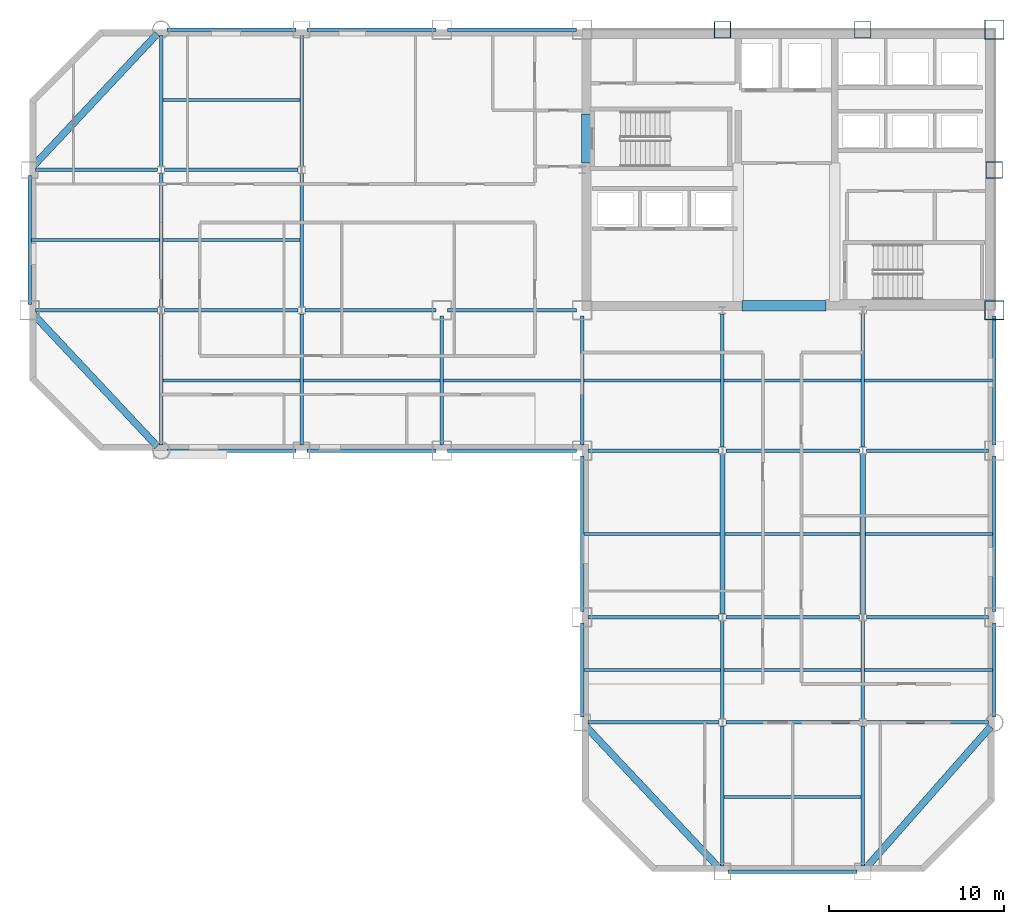
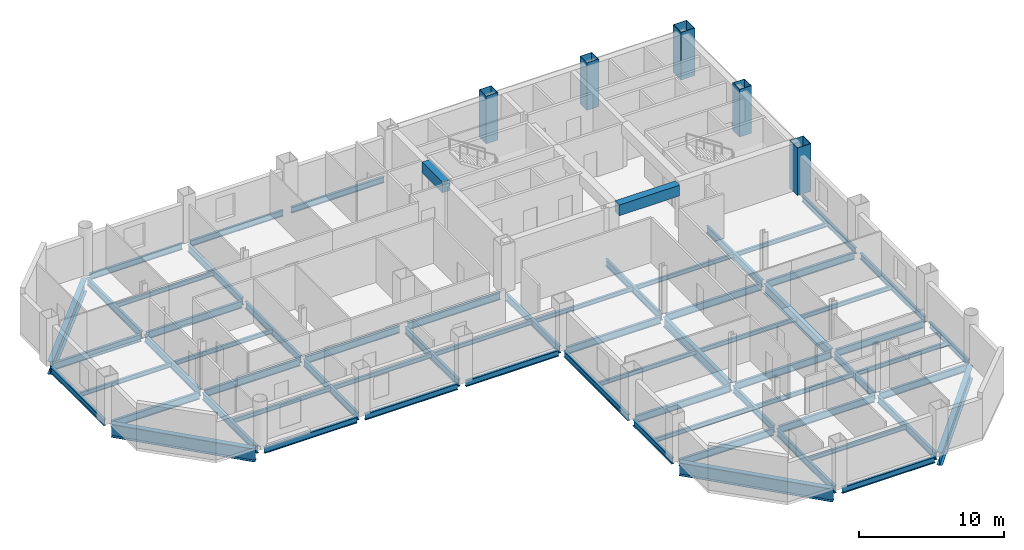
# One storey, part 4 of 10: 66 beams, 5 columns.
"""IFC4 building model written with IfcOpenShell, lengths in metres."""

from ifc_helpers import new_model, si_unit, direction, frame, origin, origin_2d, place, context, subcontext, project, spatial, rectangle, hollow_rectangle, i_section, extrude, material, material_profile, profile_set, type_object, element, save


model = new_model("IFC4")

# Units and contexts
model_context = context("Model", 3, precision=1e-05, world=origin(), true_north=direction((0.0, 1.0)))
body_context = subcontext(model_context, "Body", "Model", "MODEL_VIEW")
ifc_project = project(units=[si_unit("LENGTHUNIT", "METRE"), si_unit("AREAUNIT", "SQUARE_METRE"), si_unit("VOLUMEUNIT", "CUBIC_METRE"), si_unit("PLANEANGLEUNIT", "RADIAN"), si_unit("MASSUNIT", "GRAM", prefix="KILO")], contexts=[model_context])

# Site, building, storey
site_placement = place(None, origin())
site = spatial("IfcSite", under=ifc_project, at=site_placement, CompositionType="ELEMENT")
building_placement = place(site_placement, origin())
building = spatial("IfcBuilding", under=site, at=building_placement, Name="Qianrong Seaharbour Tower", CompositionType="ELEMENT")
storey_placement = place(building_placement, frame((0.0, 0.0, 179.0)))
storey = spatial("IfcBuildingStorey", under=building, at=storey_placement, Name="L43", CompositionType="ELEMENT", Elevation=179.0)

# Columns
ifc_material_1 = material(Name="Structural steel SN490B", Category="steel")
ifc_material_profile_1 = material_profile(ifc_material_1, hollow_rectangle(XDim=1.10009765625, YDim=1.10009765625, WallThickness=0.0400390625, at=origin_2d()), Name="BOX1100x1100x40")
ifc_profile_set_1 = profile_set([ifc_material_profile_1], Name="Structural steel SN490B")
column_type_1 = type_object("IfcColumnType", Name="COL-CFT-1100", PredefinedType="COLUMN", material=ifc_profile_set_1)
for number, where, z_axis, x_axis, name in (
    (1, (64.0, 36.0, 0.0), (0.0, 0.0, 1.0), (1.0, 0.0, 0.0), "L43 Column MC-3 at G9/GF"),
    (2, (64.0, 52.0, 0.0), (0.0, 0.0, 1.0), (1.0, 0.0, 0.0), "L43 Column MC-3 at G9/GH"),
):
    element("IfcColumn", number, at=place(storey_placement, frame(where, z_axis=z_axis, x_axis=x_axis)), inside=storey, type_object=column_type_1, Name=name, PredefinedType="COLUMN", context=body_context, shape_type="SweptSolid", body=[
        extrude(hollow_rectangle(XDim=1.10009765625, YDim=1.10009765625, WallThickness=0.0400390625, at=origin_2d()), origin(), (0.0, 0.0, 1.0), 4.0),
    ])
ifc_material_profile_2 = material_profile(ifc_material_1, hollow_rectangle(XDim=0.949951171875, YDim=0.949951171875, WallThickness=0.035888671875, at=origin_2d()), Name="BOX950x950x36")
ifc_profile_set_2 = profile_set([ifc_material_profile_2], Name="Structural steel SN490B")
column_type_2 = type_object("IfcColumnType", Name="COL-PER-950", PredefinedType="COLUMN", material=ifc_profile_set_2)
for number, where, z_axis, x_axis, name in (
    (3, (48.5, 52.0, 0.0), (0.0, 0.0, 1.0), (1.0, 0.0, 0.0), "L43 Column PC-2 at G7/GH"),
    (4, (56.5, 52.0, 0.0), (0.0, 0.0, 1.0), (1.0, 0.0, 0.0), "L43 Column PC-2 at G8/GH"),
    (5, (64.0, 44.0, 0.0), (0.0, 0.0, 1.0), (1.0, 0.0, 0.0), "L43 Column PC-2 at G9/GG"),
):
    element("IfcColumn", number, at=place(storey_placement, frame(where, z_axis=z_axis, x_axis=x_axis)), inside=storey, type_object=column_type_2, Name=name, PredefinedType="COLUMN", context=body_context, shape_type="SweptSolid", body=[
        extrude(hollow_rectangle(XDim=0.949951171875, YDim=0.949951171875, WallThickness=0.035888671875, at=origin_2d()), origin(), (0.0, 0.0, 1.0), 4.0),
    ])

# Beams
ifc_material_profile_3 = material_profile(ifc_material_1, i_section(OverallWidth=0.199951171875, OverallDepth=0.60009765625, WebThickness=0.010986328125, FlangeThickness=0.01708984375, FilletRadius=0.02197265625, at=origin_2d()), Name="H600x200x11x17")
ifc_profile_set_3 = profile_set([ifc_material_profile_3], Name="Structural steel SN490B")
beam_type_1 = type_object("IfcBeamType", Name="BM-G-600", PredefinedType="BEAM", material=ifc_profile_set_3)
beam_1_placement = place(storey_placement, frame((40.820068359375, 12.5, -0.534912109375), z_axis=(1.0, 0.0, 0.0), x_axis=(0.0, 1.0, 0.0)))
element("IfcBeam", 6, at=beam_1_placement, inside=storey, type_object=beam_type_1, Name="L43 Primary Girder GC G6-G7", PredefinedType="BEAM", context=body_context, shape_type="SweptSolid", body=[
    extrude(i_section(OverallWidth=0.199951171875, OverallDepth=0.60009765625, WebThickness=0.010986328125, FlangeThickness=0.01708984375, FilletRadius=0.02197265625, at=origin_2d()), origin(), (0.0, 0.0, 1.0), 7.47998046875),
])
beam_2_placement = place(storey_placement, frame((48.699951171875, 12.5, -0.534912109375), z_axis=(1.0, 0.0, 0.0), x_axis=(0.0, 1.0, 0.0)))
element("IfcBeam", 7, at=beam_2_placement, inside=storey, type_object=beam_type_1, Name="L43 Primary Girder GC G7-G8", PredefinedType="BEAM", context=body_context, shape_type="SweptSolid", body=[
    extrude(i_section(OverallWidth=0.199951171875, OverallDepth=0.60009765625, WebThickness=0.010986328125, FlangeThickness=0.01708984375, FilletRadius=0.02197265625, at=origin_2d()), origin(), (0.0, 0.0, 1.0), 7.60009765625),
])
beam_3_placement = place(storey_placement, frame((56.699951171875, 12.5, -0.534912109375), z_axis=(1.0, 0.0, 0.0), x_axis=(0.0, 1.0, 0.0)))
element("IfcBeam", 8, at=beam_3_placement, inside=storey, type_object=beam_type_1, Name="L43 Primary Girder GC G8-G9", PredefinedType="BEAM", context=body_context, shape_type="SweptSolid", body=[
    extrude(i_section(OverallWidth=0.199951171875, OverallDepth=0.60009765625, WebThickness=0.010986328125, FlangeThickness=0.01708984375, FilletRadius=0.02197265625, at=origin_2d()), origin(), (0.0, 0.0, 1.0), 6.97998046875),
])
beam_4_placement = place(storey_placement, frame((40.820068359375, 18.5, -0.534912109375), z_axis=(1.0, 0.0, 0.0), x_axis=(0.0, 1.0, 0.0)))
element("IfcBeam", 9, at=beam_4_placement, inside=storey, type_object=beam_type_1, Name="L43 Primary Girder GD G6-G7", PredefinedType="BEAM", context=body_context, shape_type="SweptSolid", body=[
    extrude(i_section(OverallWidth=0.199951171875, OverallDepth=0.60009765625, WebThickness=0.010986328125, FlangeThickness=0.01708984375, FilletRadius=0.02197265625, at=origin_2d()), origin(), (0.0, 0.0, 1.0), 7.47998046875),
])
beam_5_placement = place(storey_placement, frame((48.699951171875, 18.5, -0.534912109375), z_axis=(1.0, 0.0, 0.0), x_axis=(0.0, 1.0, 0.0)))
element("IfcBeam", 10, at=beam_5_placement, inside=storey, type_object=beam_type_1, Name="L43 Primary Girder GD G7-G8", PredefinedType="BEAM", context=body_context, shape_type="SweptSolid", body=[
    extrude(i_section(OverallWidth=0.199951171875, OverallDepth=0.60009765625, WebThickness=0.010986328125, FlangeThickness=0.01708984375, FilletRadius=0.02197265625, at=origin_2d()), origin(), (0.0, 0.0, 1.0), 7.60009765625),
])
beam_6_placement = place(storey_placement, frame((56.699951171875, 18.5, -0.534912109375), z_axis=(1.0, 0.0, 0.0), x_axis=(0.0, 1.0, 0.0)))
element("IfcBeam", 11, at=beam_6_placement, inside=storey, type_object=beam_type_1, Name="L43 Primary Girder GD G8-G9", PredefinedType="BEAM", context=body_context, shape_type="SweptSolid", body=[
    extrude(i_section(OverallWidth=0.199951171875, OverallDepth=0.60009765625, WebThickness=0.010986328125, FlangeThickness=0.01708984375, FilletRadius=0.02197265625, at=origin_2d()), origin(), (0.0, 0.0, 1.0), 6.97998046875),
])
beam_7_placement = place(storey_placement, frame((40.820068359375, 28.0, -0.534912109375), z_axis=(1.0, 0.0, 0.0), x_axis=(0.0, 1.0, 0.0)))
element("IfcBeam", 12, at=beam_7_placement, inside=storey, type_object=beam_type_1, Name="L43 Primary Girder GE G6-G7", PredefinedType="BEAM", context=body_context, shape_type="SweptSolid", body=[
    extrude(i_section(OverallWidth=0.199951171875, OverallDepth=0.60009765625, WebThickness=0.010986328125, FlangeThickness=0.01708984375, FilletRadius=0.02197265625, at=origin_2d()), origin(), (0.0, 0.0, 1.0), 7.47998046875),
])
beam_8_placement = place(storey_placement, frame((48.699951171875, 28.0, -0.534912109375), z_axis=(1.0, 0.0, 0.0), x_axis=(0.0, 1.0, 0.0)))
element("IfcBeam", 13, at=beam_8_placement, inside=storey, type_object=beam_type_1, Name="L43 Primary Girder GE G7-G8", PredefinedType="BEAM", context=body_context, shape_type="SweptSolid", body=[
    extrude(i_section(OverallWidth=0.199951171875, OverallDepth=0.60009765625, WebThickness=0.010986328125, FlangeThickness=0.01708984375, FilletRadius=0.02197265625, at=origin_2d()), origin(), (0.0, 0.0, 1.0), 7.60009765625),
])
for number, where, z_axis, x_axis, name in (
    (14, (56.699951171875, 28.0, -0.534912109375), (1.0, 0.0, 0.0), (0.0, 1.0, 0.0), "L43 Primary Girder GE G8-G9"),
    (15, (9.320068359375, 36.0, -0.534912109375), (1.0, 0.0, 0.0), (0.0, 1.0, 0.0), "L43 Primary Girder GF G2-G3"),
):
    element("IfcBeam", number, at=place(storey_placement, frame(where, z_axis=z_axis, x_axis=x_axis)), inside=storey, type_object=beam_type_1, Name=name, PredefinedType="BEAM", context=body_context, shape_type="SweptSolid", body=[
        extrude(i_section(OverallWidth=0.199951171875, OverallDepth=0.60009765625, WebThickness=0.010986328125, FlangeThickness=0.01708984375, FilletRadius=0.02197265625, at=origin_2d()), origin(), (0.0, 0.0, 1.0), 6.97998046875),
    ])
beam_9_placement = place(storey_placement, frame((16.699951171875, 36.0, -0.534912109375), z_axis=(1.0, 0.0, 0.0), x_axis=(0.0, 1.0, 0.0)))
element("IfcBeam", 16, at=beam_9_placement, inside=storey, type_object=beam_type_1, Name="L43 Primary Girder GF G3-G4", PredefinedType="BEAM", context=body_context, shape_type="SweptSolid", body=[
    extrude(i_section(OverallWidth=0.199951171875, OverallDepth=0.60009765625, WebThickness=0.010986328125, FlangeThickness=0.01708984375, FilletRadius=0.02197265625, at=origin_2d()), origin(), (0.0, 0.0, 1.0), 7.60009765625),
])
beam_10_placement = place(storey_placement, frame((24.699951171875, 36.0, -0.534912109375), z_axis=(1.0, 0.0, 0.0), x_axis=(0.0, 1.0, 0.0)))
element("IfcBeam", 17, at=beam_10_placement, inside=storey, type_object=beam_type_1, Name="L43 Primary Girder GF G4-G5", PredefinedType="BEAM", context=body_context, shape_type="SweptSolid", body=[
    extrude(i_section(OverallWidth=0.199951171875, OverallDepth=0.60009765625, WebThickness=0.010986328125, FlangeThickness=0.01708984375, FilletRadius=0.02197265625, at=origin_2d()), origin(), (0.0, 0.0, 1.0), 7.47998046875),
])
beam_11_placement = place(storey_placement, frame((32.820068359375, 36.0, -0.534912109375), z_axis=(1.0, 0.0, 0.0), x_axis=(0.0, 1.0, 0.0)))
element("IfcBeam", 18, at=beam_11_placement, inside=storey, type_object=beam_type_1, Name="L43 Primary Girder GF G5-G6", PredefinedType="BEAM", context=body_context, shape_type="SweptSolid", body=[
    extrude(i_section(OverallWidth=0.199951171875, OverallDepth=0.60009765625, WebThickness=0.010986328125, FlangeThickness=0.01708984375, FilletRadius=0.02197265625, at=origin_2d()), origin(), (0.0, 0.0, 1.0), 7.35986328125),
])
beam_12_placement = place(storey_placement, frame((9.320068359375, 44.0, -0.534912109375), z_axis=(1.0, 0.0, 0.0), x_axis=(0.0, 1.0, 0.0)))
element("IfcBeam", 19, at=beam_12_placement, inside=storey, type_object=beam_type_1, Name="L43 Primary Girder GG G2-G3", PredefinedType="BEAM", context=body_context, shape_type="SweptSolid", body=[
    extrude(i_section(OverallWidth=0.199951171875, OverallDepth=0.60009765625, WebThickness=0.010986328125, FlangeThickness=0.01708984375, FilletRadius=0.02197265625, at=origin_2d()), origin(), (0.0, 0.0, 1.0), 6.97998046875),
])
beam_13_placement = place(storey_placement, frame((16.699951171875, 44.0, -0.534912109375), z_axis=(1.0, 0.0, 0.0), x_axis=(0.0, 1.0, 0.0)))
element("IfcBeam", 20, at=beam_13_placement, inside=storey, type_object=beam_type_1, Name="L43 Primary Girder GG G3-G4", PredefinedType="BEAM", context=body_context, shape_type="SweptSolid", body=[
    extrude(i_section(OverallWidth=0.199951171875, OverallDepth=0.60009765625, WebThickness=0.010986328125, FlangeThickness=0.01708984375, FilletRadius=0.02197265625, at=origin_2d()), origin(), (0.0, 0.0, 1.0), 7.60009765625),
])
beam_14_placement = place(storey_placement, frame((16.5, 28.320068359375, -0.534912109375), z_axis=(0.0, 1.0, 0.0), x_axis=(-1.0, 0.0, 0.0)))
element("IfcBeam", 21, at=beam_14_placement, inside=storey, type_object=beam_type_1, Name="L43 Primary Girder G3 GE-GF", PredefinedType="BEAM", context=body_context, shape_type="SweptSolid", body=[
    extrude(i_section(OverallWidth=0.199951171875, OverallDepth=0.60009765625, WebThickness=0.010986328125, FlangeThickness=0.01708984375, FilletRadius=0.02197265625, at=origin_2d()), origin(), (0.0, 0.0, 1.0), 7.47998046875),
])
beam_15_placement = place(storey_placement, frame((16.5, 36.199951171875, -0.534912109375), z_axis=(0.0, 1.0, 0.0), x_axis=(-1.0, 0.0, 0.0)))
element("IfcBeam", 22, at=beam_15_placement, inside=storey, type_object=beam_type_1, Name="L43 Primary Girder G3 GF-GG", PredefinedType="BEAM", context=body_context, shape_type="SweptSolid", body=[
    extrude(i_section(OverallWidth=0.199951171875, OverallDepth=0.60009765625, WebThickness=0.010986328125, FlangeThickness=0.01708984375, FilletRadius=0.02197265625, at=origin_2d()), origin(), (0.0, 0.0, 1.0), 7.60009765625),
])
for number, where, z_axis, x_axis, name in (
    (23, (16.5, 44.199951171875, -0.534912109375), (0.0, 1.0, 0.0), (-1.0, 0.0, 0.0), "L43 Primary Girder G3 GG-GH"),
    (24, (24.5, 28.320068359375, -0.534912109375), (0.0, 1.0, 0.0), (-1.0, 0.0, 0.0), "L43 Primary Girder G4 GE-GF"),
):
    element("IfcBeam", number, at=place(storey_placement, frame(where, z_axis=z_axis, x_axis=x_axis)), inside=storey, type_object=beam_type_1, Name=name, PredefinedType="BEAM", context=body_context, shape_type="SweptSolid", body=[
        extrude(i_section(OverallWidth=0.199951171875, OverallDepth=0.60009765625, WebThickness=0.010986328125, FlangeThickness=0.01708984375, FilletRadius=0.02197265625, at=origin_2d()), origin(), (0.0, 0.0, 1.0), 7.47998046875),
    ])
beam_16_placement = place(storey_placement, frame((24.5, 36.199951171875, -0.534912109375), z_axis=(0.0, 1.0, 0.0), x_axis=(-1.0, 0.0, 0.0)))
element("IfcBeam", 25, at=beam_16_placement, inside=storey, type_object=beam_type_1, Name="L43 Primary Girder G4 GF-GG", PredefinedType="BEAM", context=body_context, shape_type="SweptSolid", body=[
    extrude(i_section(OverallWidth=0.199951171875, OverallDepth=0.60009765625, WebThickness=0.010986328125, FlangeThickness=0.01708984375, FilletRadius=0.02197265625, at=origin_2d()), origin(), (0.0, 0.0, 1.0), 7.60009765625),
])
beam_17_placement = place(storey_placement, frame((24.5, 44.199951171875, -0.534912109375), z_axis=(0.0, 1.0, 0.0), x_axis=(-1.0, 0.0, 0.0)))
element("IfcBeam", 26, at=beam_17_placement, inside=storey, type_object=beam_type_1, Name="L43 Primary Girder G4 GG-GH", PredefinedType="BEAM", context=body_context, shape_type="SweptSolid", body=[
    extrude(i_section(OverallWidth=0.199951171875, OverallDepth=0.60009765625, WebThickness=0.010986328125, FlangeThickness=0.01708984375, FilletRadius=0.02197265625, at=origin_2d()), origin(), (0.0, 0.0, 1.0), 7.47998046875),
])
for number, where, z_axis, x_axis, name in (
    (27, (32.5, 28.320068359375, -0.534912109375), (0.0, 1.0, 0.0), (-1.0, 0.0, 0.0), "L43 Primary Girder G5 GE-GF"),
    (28, (40.5, 28.320068359375, -0.534912109375), (0.0, 1.0, 0.0), (-1.0, 0.0, 0.0), "L43 Primary Girder G6 GE-GF"),
):
    element("IfcBeam", number, at=place(storey_placement, frame(where, z_axis=z_axis, x_axis=x_axis)), inside=storey, type_object=beam_type_1, Name=name, PredefinedType="BEAM", context=body_context, shape_type="SweptSolid", body=[
        extrude(i_section(OverallWidth=0.199951171875, OverallDepth=0.60009765625, WebThickness=0.010986328125, FlangeThickness=0.01708984375, FilletRadius=0.02197265625, at=origin_2d()), origin(), (0.0, 0.0, 1.0), 7.35986328125),
    ])
beam_18_placement = place(storey_placement, frame((48.5, 4.320068359375, -0.534912109375), z_axis=(0.0, 1.0, 0.0), x_axis=(-1.0, 0.0, 0.0)))
element("IfcBeam", 29, at=beam_18_placement, inside=storey, type_object=beam_type_1, Name="L43 Primary Girder G7 GB-GC", PredefinedType="BEAM", context=body_context, shape_type="SweptSolid", body=[
    extrude(i_section(OverallWidth=0.199951171875, OverallDepth=0.60009765625, WebThickness=0.010986328125, FlangeThickness=0.01708984375, FilletRadius=0.02197265625, at=origin_2d()), origin(), (0.0, 0.0, 1.0), 7.97998046875),
])
beam_19_placement = place(storey_placement, frame((48.5, 12.699951171875, -0.534912109375), z_axis=(0.0, 1.0, 0.0), x_axis=(-1.0, 0.0, 0.0)))
element("IfcBeam", 30, at=beam_19_placement, inside=storey, type_object=beam_type_1, Name="L43 Primary Girder G7 GC-GD", PredefinedType="BEAM", context=body_context, shape_type="SweptSolid", body=[
    extrude(i_section(OverallWidth=0.199951171875, OverallDepth=0.60009765625, WebThickness=0.010986328125, FlangeThickness=0.01708984375, FilletRadius=0.02197265625, at=origin_2d()), origin(), (0.0, 0.0, 1.0), 5.60009765625),
])
beam_20_placement = place(storey_placement, frame((48.5, 28.199951171875, -0.534912109375), z_axis=(0.0, 1.0, 0.0), x_axis=(-1.0, 0.0, 0.0)))
element("IfcBeam", 31, at=beam_20_placement, inside=storey, type_object=beam_type_1, Name="L43 Primary Girder G7 GE-GF", PredefinedType="BEAM", context=body_context, shape_type="SweptSolid", body=[
    extrude(i_section(OverallWidth=0.199951171875, OverallDepth=0.60009765625, WebThickness=0.010986328125, FlangeThickness=0.01708984375, FilletRadius=0.02197265625, at=origin_2d()), origin(), (0.0, 0.0, 1.0), 7.60009765625),
])
beam_21_placement = place(storey_placement, frame((56.5, 4.320068359375, -0.534912109375), z_axis=(0.0, 1.0, 0.0), x_axis=(-1.0, 0.0, 0.0)))
element("IfcBeam", 32, at=beam_21_placement, inside=storey, type_object=beam_type_1, Name="L43 Primary Girder G8 GB-GC", PredefinedType="BEAM", context=body_context, shape_type="SweptSolid", body=[
    extrude(i_section(OverallWidth=0.199951171875, OverallDepth=0.60009765625, WebThickness=0.010986328125, FlangeThickness=0.01708984375, FilletRadius=0.02197265625, at=origin_2d()), origin(), (0.0, 0.0, 1.0), 7.97998046875),
])
beam_22_placement = place(storey_placement, frame((56.5, 12.699951171875, -0.534912109375), z_axis=(0.0, 1.0, 0.0), x_axis=(-1.0, 0.0, 0.0)))
element("IfcBeam", 33, at=beam_22_placement, inside=storey, type_object=beam_type_1, Name="L43 Primary Girder G8 GC-GD", PredefinedType="BEAM", context=body_context, shape_type="SweptSolid", body=[
    extrude(i_section(OverallWidth=0.199951171875, OverallDepth=0.60009765625, WebThickness=0.010986328125, FlangeThickness=0.01708984375, FilletRadius=0.02197265625, at=origin_2d()), origin(), (0.0, 0.0, 1.0), 5.60009765625),
])
beam_23_placement = place(storey_placement, frame((56.5, 28.199951171875, -0.534912109375), z_axis=(0.0, 1.0, 0.0), x_axis=(-1.0, 0.0, 0.0)))
element("IfcBeam", 34, at=beam_23_placement, inside=storey, type_object=beam_type_1, Name="L43 Primary Girder G8 GE-GF", PredefinedType="BEAM", context=body_context, shape_type="SweptSolid", body=[
    extrude(i_section(OverallWidth=0.199951171875, OverallDepth=0.60009765625, WebThickness=0.010986328125, FlangeThickness=0.01708984375, FilletRadius=0.02197265625, at=origin_2d()), origin(), (0.0, 0.0, 1.0), 7.60009765625),
])
ifc_material_profile_4 = material_profile(ifc_material_1, i_section(OverallWidth=0.300048828125, OverallDepth=0.800048828125, WebThickness=0.013916015625, FlangeThickness=0.02587890625, FilletRadius=0.028076171875, at=origin_2d()), Name="H800x300x14x26")
ifc_profile_set_4 = profile_set([ifc_material_profile_4], Name="Structural steel SN490B")
beam_type_2 = type_object("IfcBeamType", Name="BM-G-800", PredefinedType="BEAM", material=ifc_profile_set_4)
for number, where, z_axis, x_axis, name in (
    (35, (48.5, 18.699951171875, -0.635009765625), (0.0, 1.0, 0.0), (-1.0, 0.0, 0.0), "L43 Primary Girder G7 GD-GE"),
    (36, (56.5, 18.699951171875, -0.635009765625), (0.0, 1.0, 0.0), (-1.0, 0.0, 0.0), "L43 Primary Girder G8 GD-GE"),
):
    element("IfcBeam", number, at=place(storey_placement, frame(where, z_axis=z_axis, x_axis=x_axis)), inside=storey, type_object=beam_type_2, Name=name, PredefinedType="BEAM", context=body_context, shape_type="SweptSolid", body=[
        extrude(i_section(OverallWidth=0.300048828125, OverallDepth=0.800048828125, WebThickness=0.013916015625, FlangeThickness=0.02587890625, FilletRadius=0.028076171875, at=origin_2d()), origin(), (0.0, 0.0, 1.0), 9.10009765625),
    ])
ifc_material_2 = material(Name="Structural steel SN400B", Category="steel")
ifc_material_profile_5 = material_profile(ifc_material_2, i_section(OverallWidth=0.175048828125, OverallDepth=0.35009765625, WebThickness=0.007080078125, FlangeThickness=0.010986328125, FilletRadius=0.013916015625, at=origin_2d()), Name="H350x175x7x11")
ifc_profile_set_5 = profile_set([ifc_material_profile_5], Name="Structural steel SN400B")
beam_type_3 = type_object("IfcBeamType", Name="BM-J-350", PredefinedType="JOIST", material=ifc_profile_set_5)
beam_24_placement = place(storey_placement, frame((9.10009765625, 40.0, -0.409912109375), z_axis=(1.0, 0.0, 0.0), x_axis=(0.0, 1.0, 0.0)))
element("IfcBeam", 37, at=beam_24_placement, inside=storey, type_object=beam_type_3, Name="L43 Composite Floor Joist G2-G3/GF-GG", PredefinedType="JOIST", context=body_context, shape_type="SweptSolid", body=[
    extrude(i_section(OverallWidth=0.175048828125, OverallDepth=0.35009765625, WebThickness=0.007080078125, FlangeThickness=0.010986328125, FilletRadius=0.013916015625, at=origin_2d()), origin(), (0.0, 0.0, 1.0), 7.2998046875),
])
for number, where, z_axis, x_axis, name in (
    (38, (16.60009765625, 32.0, -0.409912109375), (1.0, 0.0, 0.0), (0.0, 1.0, 0.0), "L43 Composite Floor Joist G3-G4/GE-GF"),
    (39, (16.60009765625, 40.0, -0.409912109375), (1.0, 0.0, 0.0), (0.0, 1.0, 0.0), "L43 Composite Floor Joist G3-G4/GF-GG"),
    (40, (16.60009765625, 48.0, -0.409912109375), (1.0, 0.0, 0.0), (0.0, 1.0, 0.0), "L43 Composite Floor Joist G3-G4/GG-GH"),
    (41, (24.60009765625, 32.0, -0.409912109375), (1.0, 0.0, 0.0), (0.0, 1.0, 0.0), "L43 Composite Floor Joist G4-G5/GE-GF"),
    (42, (32.60009765625, 32.0, -0.409912109375), (1.0, 0.0, 0.0), (0.0, 1.0, 0.0), "L43 Composite Floor Joist G5-G6/GE-GF"),
    (43, (40.60009765625, 15.5, -0.409912109375), (1.0, 0.0, 0.0), (0.0, 1.0, 0.0), "L43 Composite Floor Joist G6-G7/GC-GD"),
):
    element("IfcBeam", number, at=place(storey_placement, frame(where, z_axis=z_axis, x_axis=x_axis)), inside=storey, type_object=beam_type_3, Name=name, PredefinedType="JOIST", context=body_context, shape_type="SweptSolid", body=[
        extrude(i_section(OverallWidth=0.175048828125, OverallDepth=0.35009765625, WebThickness=0.007080078125, FlangeThickness=0.010986328125, FilletRadius=0.013916015625, at=origin_2d()), origin(), (0.0, 0.0, 1.0), 7.7998046875),
    ])
beam_25_placement = place(storey_placement, frame((40.60009765625, 23.25, -0.409912109375), z_axis=(1.0, 0.0, 0.0), x_axis=(0.0, 1.0, 0.0)))
element("IfcBeam", 44, at=beam_25_placement, inside=storey, type_object=beam_type_3, Name="L43 Composite Floor Joist G6-G7/GD-GE", PredefinedType="JOIST", context=body_context, shape_type="SweptSolid", body=[
    extrude(i_section(OverallWidth=0.175048828125, OverallDepth=0.35009765625, WebThickness=0.007080078125, FlangeThickness=0.010986328125, FilletRadius=0.013916015625, at=origin_2d()), origin(), (0.0, 0.0, 1.0), 7.75),
])
for number, where, z_axis, x_axis, name in (
    (45, (40.60009765625, 32.0, -0.409912109375), (1.0, 0.0, 0.0), (0.0, 1.0, 0.0), "L43 Composite Floor Joist G6-G7/GE-GF"),
    (46, (48.60009765625, 8.25, -0.409912109375), (1.0, 0.0, 0.0), (0.0, 1.0, 0.0), "L43 Composite Floor Joist G7-G8/GB-GC"),
    (47, (48.60009765625, 15.5, -0.409912109375), (1.0, 0.0, 0.0), (0.0, 1.0, 0.0), "L43 Composite Floor Joist G7-G8/GC-GD"),
):
    element("IfcBeam", number, at=place(storey_placement, frame(where, z_axis=z_axis, x_axis=x_axis)), inside=storey, type_object=beam_type_3, Name=name, PredefinedType="JOIST", context=body_context, shape_type="SweptSolid", body=[
        extrude(i_section(OverallWidth=0.175048828125, OverallDepth=0.35009765625, WebThickness=0.007080078125, FlangeThickness=0.010986328125, FilletRadius=0.013916015625, at=origin_2d()), origin(), (0.0, 0.0, 1.0), 7.7998046875),
    ])
beam_26_placement = place(storey_placement, frame((48.64990234375, 23.25, -0.409912109375), z_axis=(1.0, 0.0, 0.0), x_axis=(0.0, 1.0, 0.0)))
element("IfcBeam", 48, at=beam_26_placement, inside=storey, type_object=beam_type_3, Name="L43 Composite Floor Joist G7-G8/GD-GE", PredefinedType="JOIST", context=body_context, shape_type="SweptSolid", body=[
    extrude(i_section(OverallWidth=0.175048828125, OverallDepth=0.35009765625, WebThickness=0.007080078125, FlangeThickness=0.010986328125, FilletRadius=0.013916015625, at=origin_2d()), origin(), (0.0, 0.0, 1.0), 7.7001953125),
])
beam_27_placement = place(storey_placement, frame((48.60009765625, 32.0, -0.409912109375), z_axis=(1.0, 0.0, 0.0), x_axis=(0.0, 1.0, 0.0)))
element("IfcBeam", 49, at=beam_27_placement, inside=storey, type_object=beam_type_3, Name="L43 Composite Floor Joist G7-G8/GE-GF", PredefinedType="JOIST", context=body_context, shape_type="SweptSolid", body=[
    extrude(i_section(OverallWidth=0.175048828125, OverallDepth=0.35009765625, WebThickness=0.007080078125, FlangeThickness=0.010986328125, FilletRadius=0.013916015625, at=origin_2d()), origin(), (0.0, 0.0, 1.0), 7.7998046875),
])
beam_28_placement = place(storey_placement, frame((56.60009765625, 15.5, -0.409912109375), z_axis=(1.0, 0.0, 0.0), x_axis=(0.0, 1.0, 0.0)))
element("IfcBeam", 50, at=beam_28_placement, inside=storey, type_object=beam_type_3, Name="L43 Composite Floor Joist G8-G9/GC-GD", PredefinedType="JOIST", context=body_context, shape_type="SweptSolid", body=[
    extrude(i_section(OverallWidth=0.175048828125, OverallDepth=0.35009765625, WebThickness=0.007080078125, FlangeThickness=0.010986328125, FilletRadius=0.013916015625, at=origin_2d()), origin(), (0.0, 0.0, 1.0), 7.2998046875),
])
beam_29_placement = place(storey_placement, frame((56.64990234375, 23.25, -0.409912109375), z_axis=(1.0, 0.0, 0.0), x_axis=(0.0, 1.0, 0.0)))
element("IfcBeam", 51, at=beam_29_placement, inside=storey, type_object=beam_type_3, Name="L43 Composite Floor Joist G8-G9/GD-GE", PredefinedType="JOIST", context=body_context, shape_type="SweptSolid", body=[
    extrude(i_section(OverallWidth=0.175048828125, OverallDepth=0.35009765625, WebThickness=0.007080078125, FlangeThickness=0.010986328125, FilletRadius=0.013916015625, at=origin_2d()), origin(), (0.0, 0.0, 1.0), 7.25),
])
beam_30_placement = place(storey_placement, frame((56.60009765625, 32.0, -0.409912109375), z_axis=(1.0, 0.0, 0.0), x_axis=(0.0, 1.0, 0.0)))
element("IfcBeam", 52, at=beam_30_placement, inside=storey, type_object=beam_type_3, Name="L43 Composite Floor Joist G8-G9/GE-GF", PredefinedType="JOIST", context=body_context, shape_type="SweptSolid", body=[
    extrude(i_section(OverallWidth=0.175048828125, OverallDepth=0.35009765625, WebThickness=0.007080078125, FlangeThickness=0.010986328125, FilletRadius=0.013916015625, at=origin_2d()), origin(), (0.0, 0.0, 1.0), 7.2998046875),
])
ifc_material_3 = material(Name="Concrete C70/85", Category="concrete")
ifc_material_profile_6 = material_profile(ifc_material_3, rectangle(XDim=0.60009765625, YDim=0.89990234375, at=origin_2d()), Name="RC600x900")
ifc_profile_set_6 = profile_set([ifc_material_profile_6], Name="Concrete C70/85")
beam_type_4 = type_object("IfcBeamType", Name="BM-LINTEL-900", PredefinedType="LINTEL", material=ifc_profile_set_6)
beam_31_placement = place(storey_placement, frame((40.75, 44.39990234375, 3.31494140625), z_axis=(0.0, 1.0, 0.0), x_axis=(-1.0, 0.0, 0.0)))
element("IfcBeam", 53, at=beam_31_placement, inside=storey, type_object=beam_type_4, Name="L43 Core Coupling Lintel Beam West", PredefinedType="LINTEL", context=body_context, shape_type="SweptSolid", body=[
    extrude(rectangle(XDim=0.60009765625, YDim=0.89990234375, at=origin_2d()), origin(), (0.0, 0.0, 1.0), 2.800048828125),
])
beam_32_placement = place(storey_placement, frame((49.60009765625, 36.25, 3.31494140625), z_axis=(1.0, 0.0, 0.0), x_axis=(0.0, 1.0, 0.0)))
element("IfcBeam", 54, at=beam_32_placement, inside=storey, type_object=beam_type_4, Name="L43 Core Coupling Lintel Beam CBC", PredefinedType="LINTEL", context=body_context, shape_type="SweptSolid", body=[
    extrude(rectangle(XDim=0.60009765625, YDim=0.89990234375, at=origin_2d()), origin(), (0.0, 0.0, 1.0), 4.7998046875),
])
ifc_material_profile_7 = material_profile(ifc_material_1, i_section(OverallWidth=0.199951171875, OverallDepth=0.5, WebThickness=0.010009765625, FlangeThickness=0.01611328125, FilletRadius=0.02001953125, at=origin_2d()), Name="H500x200x10x16")
ifc_profile_set_7 = profile_set([ifc_material_profile_7], Name="Structural steel SN490B")
beam_type_5 = type_object("IfcBeamType", Name="BM-SP-500", PredefinedType="SPANDREL", material=ifc_profile_set_7)
for number, where, z_axis, x_axis, name in (
    (55, (48.820068359375, 4.0, -0.485107421875), (1.0, 0.0, 0.0), (0.0, 1.0, 0.0), "L43 Spandrel Girder GB G7-G8"),
    (56, (16.820068359375, 28.0, -0.485107421875), (1.0, 0.0, 0.0), (0.0, 1.0, 0.0), "L43 Spandrel Girder GE G3-G4"),
    (57, (24.820068359375, 28.0, -0.485107421875), (1.0, 0.0, 0.0), (0.0, 1.0, 0.0), "L43 Spandrel Girder GE G4-G5"),
    (58, (32.820068359375, 28.0, -0.485107421875), (1.0, 0.0, 0.0), (0.0, 1.0, 0.0), "L43 Spandrel Girder GE G5-G6"),
    (59, (16.820068359375, 52.0, -0.485107421875), (1.0, 0.0, 0.0), (0.0, 1.0, 0.0), "L43 Spandrel Girder GH G3-G4"),
    (60, (24.820068359375, 52.0, -0.485107421875), (1.0, 0.0, 0.0), (0.0, 1.0, 0.0), "L43 Spandrel Girder GH G4-G5"),
    (61, (32.820068359375, 52.0, -0.485107421875), (1.0, 0.0, 0.0), (0.0, 1.0, 0.0), "L43 Spandrel Girder GH G5-G6"),
    (62, (9.0, 36.320068359375, -0.485107421875), (0.0, 1.0, 0.0), (-1.0, 0.0, 0.0), "L43 Spandrel Girder G2 GF-GG"),
):
    element("IfcBeam", number, at=place(storey_placement, frame(where, z_axis=z_axis, x_axis=x_axis)), inside=storey, type_object=beam_type_5, Name=name, PredefinedType="SPANDREL", context=body_context, shape_type="SweptSolid", body=[
        extrude(i_section(OverallWidth=0.199951171875, OverallDepth=0.5, WebThickness=0.010009765625, FlangeThickness=0.01611328125, FilletRadius=0.02001953125, at=origin_2d()), origin(), (0.0, 0.0, 1.0), 7.35986328125),
    ])
beam_33_placement = place(storey_placement, frame((40.5, 12.820068359375, -0.485107421875), z_axis=(0.0, 1.0, 0.0), x_axis=(-1.0, 0.0, 0.0)))
element("IfcBeam", 63, at=beam_33_placement, inside=storey, type_object=beam_type_5, Name="L43 Spandrel Girder G6 GC-GD", PredefinedType="SPANDREL", context=body_context, shape_type="SweptSolid", body=[
    extrude(i_section(OverallWidth=0.199951171875, OverallDepth=0.5, WebThickness=0.010009765625, FlangeThickness=0.01611328125, FilletRadius=0.02001953125, at=origin_2d()), origin(), (0.0, 0.0, 1.0), 5.35986328125),
])
beam_34_placement = place(storey_placement, frame((40.5, 18.820068359375, -0.485107421875), z_axis=(0.0, 1.0, 0.0), x_axis=(-1.0, 0.0, 0.0)))
element("IfcBeam", 64, at=beam_34_placement, inside=storey, type_object=beam_type_5, Name="L43 Spandrel Girder G6 GD-GE", PredefinedType="SPANDREL", context=body_context, shape_type="SweptSolid", body=[
    extrude(i_section(OverallWidth=0.199951171875, OverallDepth=0.5, WebThickness=0.010009765625, FlangeThickness=0.01611328125, FilletRadius=0.02001953125, at=origin_2d()), origin(), (0.0, 0.0, 1.0), 8.85986328125),
])
beam_35_placement = place(storey_placement, frame((64.0, 12.820068359375, -0.485107421875), z_axis=(0.0, 1.0, 0.0), x_axis=(-1.0, 0.0, 0.0)))
element("IfcBeam", 65, at=beam_35_placement, inside=storey, type_object=beam_type_5, Name="L43 Spandrel Girder G9 GC-GD", PredefinedType="SPANDREL", context=body_context, shape_type="SweptSolid", body=[
    extrude(i_section(OverallWidth=0.199951171875, OverallDepth=0.5, WebThickness=0.010009765625, FlangeThickness=0.01611328125, FilletRadius=0.02001953125, at=origin_2d()), origin(), (0.0, 0.0, 1.0), 5.35986328125),
])
beam_36_placement = place(storey_placement, frame((64.0, 18.820068359375, -0.485107421875), z_axis=(0.0, 1.0, 0.0), x_axis=(-1.0, 0.0, 0.0)))
element("IfcBeam", 66, at=beam_36_placement, inside=storey, type_object=beam_type_5, Name="L43 Spandrel Girder G9 GD-GE", PredefinedType="SPANDREL", context=body_context, shape_type="SweptSolid", body=[
    extrude(i_section(OverallWidth=0.199951171875, OverallDepth=0.5, WebThickness=0.010009765625, FlangeThickness=0.01611328125, FilletRadius=0.02001953125, at=origin_2d()), origin(), (0.0, 0.0, 1.0), 8.85986328125),
])
beam_37_placement = place(storey_placement, frame((64.0, 28.320068359375, -0.485107421875), z_axis=(0.0, 1.0, 0.0), x_axis=(-1.0, 0.0, 0.0)))
element("IfcBeam", 67, at=beam_37_placement, inside=storey, type_object=beam_type_5, Name="L43 Spandrel Girder G9 GE-GF", PredefinedType="SPANDREL", context=body_context, shape_type="SweptSolid", body=[
    extrude(i_section(OverallWidth=0.199951171875, OverallDepth=0.5, WebThickness=0.010009765625, FlangeThickness=0.01611328125, FilletRadius=0.02001953125, at=origin_2d()), origin(), (0.0, 0.0, 1.0), 7.35986328125),
])
ifc_material_profile_8 = material_profile(ifc_material_1, i_section(OverallWidth=0.39990234375, OverallDepth=1.10009765625, WebThickness=0.02001953125, FlangeThickness=0.035888671875, at=origin_2d()), Name="BH1100x400x20x36")
ifc_profile_set_8 = profile_set([ifc_material_profile_8], Name="Structural steel SN490B")
beam_type_6 = type_object("IfcBeamType", Name="BM-TG-1100", PredefinedType="BEAM", material=ifc_profile_set_8)
for number, where, z_axis, x_axis, name in (
    (68, (16.28125, 28.2333984375, -0.784912109375), (-0.683947420573, 0.729531305628, 0.0), (-0.729531305628, -0.683947420573, 0.0), "L43 Chamfer Corner Spandrel Girder G2/GE"),
    (69, (16.28125, 51.7666015625, -0.784912109375), (-0.683947420573, -0.729531305628, 0.0), (0.729531305628, -0.683947420573, 0.0), "L43 Chamfer Corner Spandrel Girder G2/GH"),
):
    element("IfcBeam", number, at=place(storey_placement, frame(where, z_axis=z_axis, x_axis=x_axis)), inside=storey, type_object=beam_type_6, Name=name, PredefinedType="BEAM", context=body_context, shape_type="SweptSolid", body=[
        extrude(i_section(OverallWidth=0.39990234375, OverallDepth=1.10009765625, WebThickness=0.02001953125, FlangeThickness=0.035888671875, at=origin_2d()), origin(), (0.0, 0.0, 1.0), 10.326171875),
    ])
beam_38_placement = place(storey_placement, frame((48.28076171875, 4.23291015625, -0.784912109375), z_axis=(-0.685361938021, 0.728202591256, 0.0), x_axis=(-0.728202591256, -0.685361938021, 0.0)))
element("IfcBeam", 70, at=beam_38_placement, inside=storey, type_object=beam_type_6, Name="L43 Chamfer Corner Spandrel Girder G6/GB", PredefinedType="BEAM", context=body_context, shape_type="SweptSolid", body=[
    extrude(i_section(OverallWidth=0.39990234375, OverallDepth=1.10009765625, WebThickness=0.02001953125, FlangeThickness=0.035888671875, at=origin_2d()), origin(), (0.0, 0.0, 1.0), 11.032958984375),
])
beam_39_placement = place(storey_placement, frame((56.711669921875, 4.239990234375, -0.784912109375), z_axis=(0.661630696334, 0.749829861815, 0.0), x_axis=(-0.749829861815, 0.661630696334, 0.0)))
element("IfcBeam", 71, at=beam_39_placement, inside=storey, type_object=beam_type_6, Name="L43 Chamfer Corner Spandrel Girder G9/GB", PredefinedType="BEAM", context=body_context, shape_type="SweptSolid", body=[
    extrude(i_section(OverallWidth=0.39990234375, OverallDepth=1.10009765625, WebThickness=0.02001953125, FlangeThickness=0.035888671875, at=origin_2d()), origin(), (0.0, 0.0, 1.0), 10.69580078125),
])

save(model, "model.ifc")
